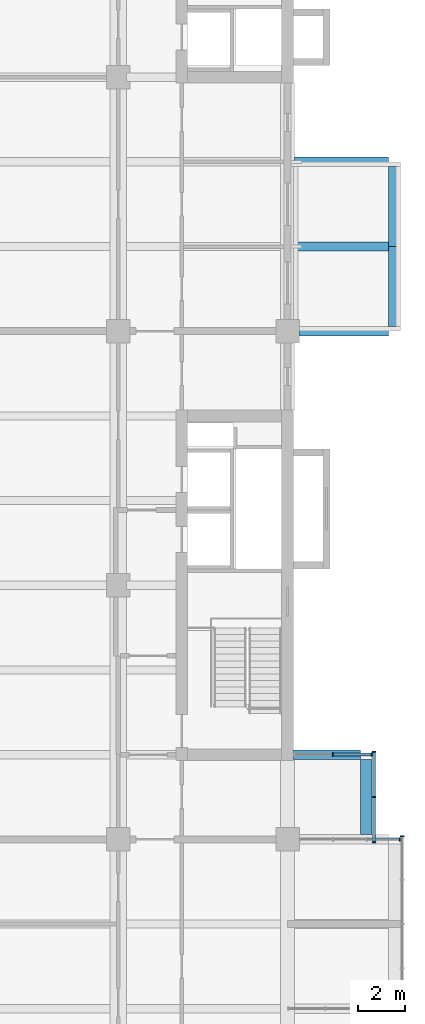
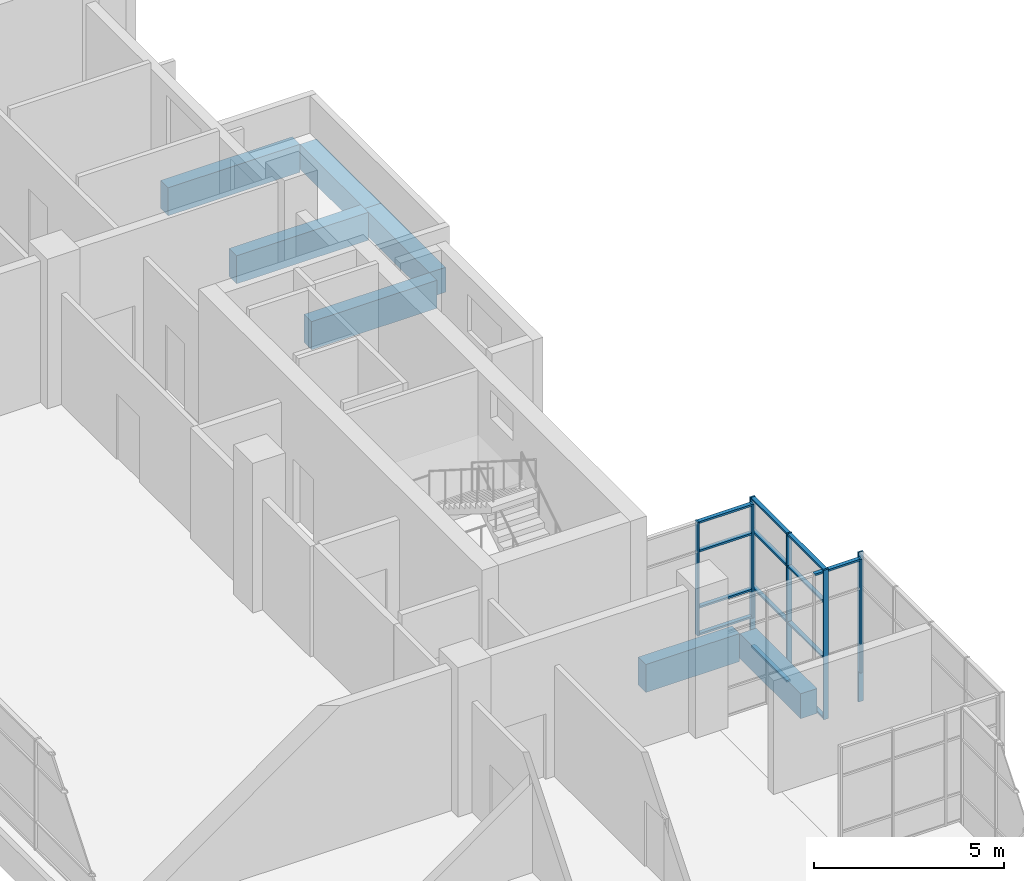
# One storey, part 14 of 30: 20 members, 7 beams, 4 elements without a shape of their own.
"""IFC4 building model written with IfcOpenShell, lengths in metres."""

from ifc_helpers import new_model, si_unit, direction, frame, origin, origin_2d, place, context, subcontext, project, spatial, rectangle, extrude, material, layer, layer_set, material_profile, profile_set, type_object, element, aggregate, save


model = new_model("IFC4")

# Units and contexts
model_context = context("Model", 3, precision=1e-05, world=origin(), true_north=direction((0.0, 1.0)))
body_context = subcontext(model_context, "Body", "Model", "MODEL_VIEW")
ifc_project = project(units=[si_unit("LENGTHUNIT", "METRE"), si_unit("AREAUNIT", "SQUARE_METRE"), si_unit("VOLUMEUNIT", "CUBIC_METRE"), si_unit("PLANEANGLEUNIT", "RADIAN"), si_unit("MASSUNIT", "GRAM", prefix="KILO")], contexts=[model_context])

# Site, building, storey
site_placement = place(None, origin())
site = spatial("IfcSite", under=ifc_project, at=site_placement, CompositionType="ELEMENT")
building_placement = place(site_placement, origin())
building = spatial("IfcBuilding", under=site, at=building_placement, Name="Basin Gate Institute", CompositionType="ELEMENT")
storey_placement = place(building_placement, frame((0.0, 0.0, 36.60009765625)))
storey = spatial("IfcBuildingStorey", under=building, at=storey_placement, Name="L07", CompositionType="ELEMENT", Elevation=36.60009765625)

# Beams
ifc_material_1 = material(Name="Concrete 50 MPa", Category="concrete")
ifc_material_profile_1 = material_profile(ifc_material_1, rectangle(XDim=0.39990234375, YDim=0.89990234375, at=origin_2d()), Name="Cantilever beam B3 400 x 900")
ifc_profile_set_1 = profile_set([ifc_material_profile_1], Name="Concrete 50 MPa")
beam_type_1 = type_object("IfcBeamType", Name="Cantilever beam B3 R120", PredefinedType="BEAM", material=ifc_profile_set_1)
beam_1_placement = place(storey_placement, frame((121.89990234375, 60.300048828125, -0.7001953125), z_axis=(-1.0, 0.0, 0.0), x_axis=(0.0, -1.0, 0.0)))
element("IfcBeam", 1, at=beam_1_placement, inside=storey, type_object=beam_type_1, material=ifc_profile_set_1, Name="BEAM/L07/E/CANT/08", PredefinedType="BEAM", context=body_context, shape_type="SweptSolid", body=[
    extrude(rectangle(XDim=0.39990234375, YDim=0.89990234375, at=origin_2d()), origin(), (0.0, 0.0, 1.0), 2.849853515625),
])
beam_2_placement = place(storey_placement, frame((123.10009765625, 78.300048828125, -0.7001953125), z_axis=(-1.0, 0.0, 0.0), x_axis=(0.0, -1.0, 0.0)))
element("IfcBeam", 2, at=beam_2_placement, inside=storey, type_object=beam_type_1, material=ifc_profile_set_1, Name="BEAM/L07/E/CANT/13", PredefinedType="BEAM", context=body_context, shape_type="SweptSolid", body=[
    extrude(rectangle(XDim=0.39990234375, YDim=0.89990234375, at=origin_2d()), origin(), (0.0, 0.0, 1.0), 3.800048828125),
])
for number, where, z_axis, x_axis, name in (
    (3, (123.10009765625, 81.89990234375, -0.7001953125), (-1.0, 0.0, 0.0), (0.0, -1.0, 0.0), "BEAM/L07/E/CANT/14"),
    (4, (123.10009765625, 85.5, -0.7001953125), (-1.0, 0.0, 0.0), (0.0, -1.0, 0.0), "BEAM/L07/E/CANT/15"),
):
    element("IfcBeam", number, at=place(storey_placement, frame(where, z_axis=z_axis, x_axis=x_axis)), inside=storey, type_object=beam_type_1, material=ifc_profile_set_1, Name=name, PredefinedType="BEAM", context=body_context, shape_type="SweptSolid", body=[
        extrude(rectangle(XDim=0.39990234375, YDim=0.89990234375, at=origin_2d()), origin(), (0.0, 0.0, 1.0), 4.0),
    ])

# Curtain wall, member
ifc_material_2 = material(Name="Aluminium-framed glazing", Category="aluminium")
ifc_layer = layer(ifc_material_2, 0.14990234375)
ifc_layer_set = layer_set([ifc_layer], Name="Capsule front curtain wall CW1")
curtain_wall_type = type_object("IfcCurtainWallType", Name="Capsule front curtain wall CW1", PredefinedType="NOTDEFINED", material=ifc_layer_set)
curtain_wall_1_placement = place(storey_placement, origin())
curtain_wall_1 = element("IfcCurtainWall", 5, at=curtain_wall_1_placement, inside=storey, type_object=curtain_wall_type, material=ifc_layer_set, Name="Capsule front curtain wall E wing capsule end L07 line 7", PredefinedType="NOTDEFINED")
ifc_material_3 = material(Name="Aluminium", Category="aluminium")
ifc_material_profile_2 = material_profile(ifc_material_3, rectangle(XDim=0.14990234375, YDim=0.050048828125, at=origin_2d()), Name="Mullion MU1 150 x 50")
ifc_profile_set_2 = profile_set([ifc_material_profile_2], Name="Aluminium")
member_type_1 = type_object("IfcMemberType", Name="Mullion MU1", PredefinedType="MULLION", material=ifc_profile_set_2)
member_1_placement = place(storey_placement, frame((123.574951171875, 56.699951171875, 0.0), z_axis=(0.0, 0.0, 1.0), x_axis=(0.0, -1.0, 0.0)))
member_1 = element("IfcMember", 6, at=member_1_placement, type_object=member_type_1, material=ifc_profile_set_2, Name="CW1 mullion 1", PredefinedType="MULLION", context=body_context, shape_type="SweptSolid", body=[
    extrude(rectangle(XDim=0.14990234375, YDim=0.050048828125, at=origin_2d()), origin(), (0.0, 0.0, 1.0), 3.64990234375),
])

# Curtain wall, members
curtain_wall_2_placement = place(storey_placement, origin())
curtain_wall_2 = element("IfcCurtainWall", 7, at=curtain_wall_2_placement, inside=storey, type_object=curtain_wall_type, material=ifc_layer_set, Name="Capsule front curtain wall E wing capsule end L07 line 8", PredefinedType="NOTDEFINED")
member_2_placement = place(storey_placement, frame((122.375, 60.300048828125, 0.0), z_axis=(0.0, 0.0, 1.0), x_axis=(0.0, -1.0, 0.0)))
member_2 = element("IfcMember", 8, at=member_2_placement, type_object=member_type_1, material=ifc_profile_set_2, Name="CW1 mullion 1", PredefinedType="MULLION", context=body_context, shape_type="SweptSolid", body=[
    extrude(rectangle(XDim=0.14990234375, YDim=0.050048828125, at=origin_2d()), origin(), (0.0, 0.0, 1.0), 3.64990234375),
])
member_3_placement = place(storey_placement, frame((120.72509765625, 60.300048828125, 0.0), z_axis=(0.0, 0.0, 1.0), x_axis=(0.0, -1.0, 0.0)))
member_3 = element("IfcMember", 9, at=member_3_placement, type_object=member_type_1, material=ifc_profile_set_2, Name="CW1 mullion 2", PredefinedType="MULLION", context=body_context, shape_type="SweptSolid", body=[
    extrude(rectangle(XDim=0.14990234375, YDim=0.050048828125, at=origin_2d()), origin(), (0.0, 0.0, 1.0), 3.64990234375),
])

# Curtain wall, member
curtain_wall_3_placement = place(storey_placement, origin())
curtain_wall_3 = element("IfcCurtainWall", 10, at=curtain_wall_3_placement, inside=storey, type_object=curtain_wall_type, material=ifc_layer_set, Name="Capsule front curtain wall E wing capsule 1 L07 front 2", PredefinedType="NOTDEFINED")
member_4_placement = place(storey_placement, frame((123.675048828125, 56.824951171875, -1.050048828125), z_axis=(0.0, 0.0, 1.0), x_axis=(-1.0, 0.0, 0.0)))
member_4 = element("IfcMember", 11, at=member_4_placement, type_object=member_type_1, material=ifc_profile_set_2, Name="CW1 mullion 5", PredefinedType="MULLION", context=body_context, shape_type="SweptSolid", body=[
    extrude(rectangle(XDim=0.14990234375, YDim=0.050048828125, at=origin_2d()), origin(), (0.0, 0.0, 1.0), 4.800048828125),
])
aggregate(curtain_wall_3, [member_4])

# Curtain wall, members
curtain_wall_4_placement = place(storey_placement, origin())
curtain_wall_4 = element("IfcCurtainWall", 12, at=curtain_wall_4_placement, inside=storey, type_object=curtain_wall_type, material=ifc_layer_set, Name="Capsule front curtain wall E wing capsule 1 L07 front 4", PredefinedType="NOTDEFINED")
member_5_placement = place(storey_placement, frame((122.47509765625, 56.574951171875, -1.050048828125), z_axis=(0.0, 0.0, 1.0), x_axis=(-1.0, 0.0, 0.0)))
member_5 = element("IfcMember", 13, at=member_5_placement, type_object=member_type_1, material=ifc_profile_set_2, Name="CW1 mullion 1", PredefinedType="MULLION", context=body_context, shape_type="SweptSolid", body=[
    extrude(rectangle(XDim=0.14990234375, YDim=0.050048828125, at=origin_2d()), origin(), (0.0, 0.0, 1.0), 4.800048828125),
])
member_6_placement = place(storey_placement, frame((122.47509765625, 58.5, -1.050048828125), z_axis=(0.0, 0.0, 1.0), x_axis=(-1.0, 0.0, 0.0)))
member_6 = element("IfcMember", 14, at=member_6_placement, type_object=member_type_1, material=ifc_profile_set_2, Name="CW1 mullion 2", PredefinedType="MULLION", context=body_context, shape_type="SweptSolid", body=[
    extrude(rectangle(XDim=0.14990234375, YDim=0.050048828125, at=origin_2d()), origin(), (0.0, 0.0, 1.0), 4.800048828125),
])
member_7_placement = place(storey_placement, frame((122.47509765625, 60.425048828125, -1.050048828125), z_axis=(0.0, 0.0, 1.0), x_axis=(-1.0, 0.0, 0.0)))
member_7 = element("IfcMember", 15, at=member_7_placement, type_object=member_type_1, material=ifc_profile_set_2, Name="CW1 mullion 3", PredefinedType="MULLION", context=body_context, shape_type="SweptSolid", body=[
    extrude(rectangle(XDim=0.14990234375, YDim=0.050048828125, at=origin_2d()), origin(), (0.0, 0.0, 1.0), 4.800048828125),
])

# Beams
ifc_material_4 = material(Name="Concrete 50 MPa", Category="concrete")
ifc_material_profile_3 = material_profile(ifc_material_4, rectangle(XDim=0.5, YDim=0.800048828125, at=origin_2d()), Name="Tip beam TB1 500 x 800")
ifc_profile_set_3 = profile_set([ifc_material_profile_3], Name="Concrete 50 MPa")
beam_type_2 = type_object("IfcBeamType", Name="Tip beam TB1 R120", PredefinedType="SPANDREL", material=ifc_profile_set_3)
beam_3_placement = place(storey_placement, frame((122.14990234375, 56.89990234375, -0.650146484375), z_axis=(0.0, 1.0, 0.0), x_axis=(-1.0, 0.0, 0.0)))
element("IfcBeam", 16, at=beam_3_placement, inside=storey, type_object=beam_type_2, material=ifc_profile_set_3, Name="BEAM/L07/E/TIP/4", PredefinedType="SPANDREL", context=body_context, shape_type="SweptSolid", body=[
    extrude(rectangle(XDim=0.5, YDim=0.800048828125, at=origin_2d()), origin(), (0.0, 0.0, 1.0), 3.2001953125),
])
beam_4_placement = place(storey_placement, frame((123.35009765625, 78.5, -0.650146484375), z_axis=(0.0, 1.0, 0.0), x_axis=(-1.0, 0.0, 0.0)))
element("IfcBeam", 17, at=beam_4_placement, inside=storey, type_object=beam_type_2, material=ifc_profile_set_3, Name="BEAM/L07/E/TIP/6", PredefinedType="SPANDREL", context=body_context, shape_type="SweptSolid", body=[
    extrude(rectangle(XDim=0.5, YDim=0.800048828125, at=origin_2d()), origin(), (0.0, 0.0, 1.0), 3.39990234375),
])
beam_5_placement = place(storey_placement, frame((123.35009765625, 81.89990234375, -0.650146484375), z_axis=(0.0, 1.0, 0.0), x_axis=(-1.0, 0.0, 0.0)))
element("IfcBeam", 18, at=beam_5_placement, inside=storey, type_object=beam_type_2, material=ifc_profile_set_3, Name="BEAM/L07/E/TIP/7", PredefinedType="SPANDREL", context=body_context, shape_type="SweptSolid", body=[
    extrude(rectangle(XDim=0.5, YDim=0.800048828125, at=origin_2d()), origin(), (0.0, 0.0, 1.0), 3.400146484375),
])

# Member
ifc_material_5 = material(Name="Aluminium", Category="aluminium")
ifc_material_profile_4 = material_profile(ifc_material_5, rectangle(XDim=0.1201171875, YDim=0.06005859375, at=origin_2d()), Name="Transom TR1 120 x 60")
ifc_profile_set_4 = profile_set([ifc_material_profile_4], Name="Aluminium")
member_type_2 = type_object("IfcMemberType", Name="Transom TR1", PredefinedType="USERDEFINED", material=ifc_profile_set_4)
member_8_placement = place(storey_placement, frame((123.550048828125, 56.699951171875, 3.619873046875), z_axis=(-1.0, 0.0, 0.0), x_axis=(0.0, -1.0, 0.0)))
member_8 = element("IfcMember", 19, at=member_8_placement, type_object=member_type_2, material=ifc_profile_set_4, Name="CW1 transom 1.4", ObjectType="TRANSOM", PredefinedType="USERDEFINED", context=body_context, shape_type="SweptSolid", body=[
    extrude(rectangle(XDim=0.1201171875, YDim=0.06005859375, at=origin_2d()), origin(), (0.0, 0.0, 1.0), 1.3583984375),
])

aggregate(curtain_wall_1, [member_1, member_8])

member_9_placement = place(storey_placement, frame((122.35009765625, 60.300048828125, 0.02978515625), z_axis=(-1.0, 0.0, 0.0), x_axis=(0.0, -1.0, 0.0)))
member_9 = element("IfcMember", 20, at=member_9_placement, type_object=member_type_2, material=ifc_profile_set_4, Name="CW1 transom 1.1", ObjectType="TRANSOM", PredefinedType="USERDEFINED", context=body_context, shape_type="SweptSolid", body=[
    extrude(rectangle(XDim=0.1201171875, YDim=0.06005859375, at=origin_2d()), origin(), (0.0, 0.0, 1.0), 1.60009765625),
])

member_10_placement = place(storey_placement, frame((122.35009765625, 60.300048828125, 0.89990234375), z_axis=(-1.0, 0.0, 0.0), x_axis=(0.0, -1.0, 0.0)))
member_10 = element("IfcMember", 21, at=member_10_placement, type_object=member_type_2, material=ifc_profile_set_4, Name="CW1 transom 1.2", ObjectType="TRANSOM", PredefinedType="USERDEFINED", context=body_context, shape_type="SweptSolid", body=[
    extrude(rectangle(XDim=0.1201171875, YDim=0.06005859375, at=origin_2d()), origin(), (0.0, 0.0, 1.0), 1.60009765625),
])

member_11_placement = place(storey_placement, frame((122.35009765625, 60.300048828125, 2.699951171875), z_axis=(-1.0, 0.0, 0.0), x_axis=(0.0, -1.0, 0.0)))
member_11 = element("IfcMember", 22, at=member_11_placement, type_object=member_type_2, material=ifc_profile_set_4, Name="CW1 transom 1.3", ObjectType="TRANSOM", PredefinedType="USERDEFINED", context=body_context, shape_type="SweptSolid", body=[
    extrude(rectangle(XDim=0.1201171875, YDim=0.06005859375, at=origin_2d()), origin(), (0.0, 0.0, 1.0), 1.60009765625),
])

member_12_placement = place(storey_placement, frame((122.35009765625, 60.300048828125, 3.619873046875), z_axis=(-1.0, 0.0, 0.0), x_axis=(0.0, -1.0, 0.0)))
member_12 = element("IfcMember", 23, at=member_12_placement, type_object=member_type_2, material=ifc_profile_set_4, Name="CW1 transom 1.4", ObjectType="TRANSOM", PredefinedType="USERDEFINED", context=body_context, shape_type="SweptSolid", body=[
    extrude(rectangle(XDim=0.1201171875, YDim=0.06005859375, at=origin_2d()), origin(), (0.0, 0.0, 1.0), 1.60009765625),
])

aggregate(curtain_wall_2, [member_2, member_3, member_9, member_10, member_11, member_12])

member_13_placement = place(storey_placement, frame((122.47509765625, 56.60009765625, -1.02001953125), z_axis=(0.0, 1.0, 0.0), x_axis=(-1.0, 0.0, 0.0)))
member_13 = element("IfcMember", 24, at=member_13_placement, type_object=member_type_2, material=ifc_profile_set_4, Name="CW1 transom 1.1", ObjectType="TRANSOM", PredefinedType="USERDEFINED", context=body_context, shape_type="SweptSolid", body=[
    extrude(rectangle(XDim=0.1201171875, YDim=0.06005859375, at=origin_2d()), origin(), (0.0, 0.0, 1.0), 1.875),
])

member_14_placement = place(storey_placement, frame((122.47509765625, 56.60009765625, 0.89990234375), z_axis=(0.0, 1.0, 0.0), x_axis=(-1.0, 0.0, 0.0)))
member_14 = element("IfcMember", 25, at=member_14_placement, type_object=member_type_2, material=ifc_profile_set_4, Name="CW1 transom 1.2", ObjectType="TRANSOM", PredefinedType="USERDEFINED", context=body_context, shape_type="SweptSolid", body=[
    extrude(rectangle(XDim=0.1201171875, YDim=0.06005859375, at=origin_2d()), origin(), (0.0, 0.0, 1.0), 1.875),
])

member_15_placement = place(storey_placement, frame((122.47509765625, 56.60009765625, 2.699951171875), z_axis=(0.0, 1.0, 0.0), x_axis=(-1.0, 0.0, 0.0)))
member_15 = element("IfcMember", 26, at=member_15_placement, type_object=member_type_2, material=ifc_profile_set_4, Name="CW1 transom 1.3", ObjectType="TRANSOM", PredefinedType="USERDEFINED", context=body_context, shape_type="SweptSolid", body=[
    extrude(rectangle(XDim=0.1201171875, YDim=0.06005859375, at=origin_2d()), origin(), (0.0, 0.0, 1.0), 1.875),
])

member_16_placement = place(storey_placement, frame((122.47509765625, 56.60009765625, 3.719970703125), z_axis=(0.0, 1.0, 0.0), x_axis=(-1.0, 0.0, 0.0)))
member_16 = element("IfcMember", 27, at=member_16_placement, type_object=member_type_2, material=ifc_profile_set_4, Name="CW1 transom 1.4", ObjectType="TRANSOM", PredefinedType="USERDEFINED", context=body_context, shape_type="SweptSolid", body=[
    extrude(rectangle(XDim=0.1201171875, YDim=0.06005859375, at=origin_2d()), origin(), (0.0, 0.0, 1.0), 1.875),
])

member_17_placement = place(storey_placement, frame((122.47509765625, 58.52490234375, -1.02001953125), z_axis=(0.0, 1.0, 0.0), x_axis=(-1.0, 0.0, 0.0)))
member_17 = element("IfcMember", 28, at=member_17_placement, type_object=member_type_2, material=ifc_profile_set_4, Name="CW1 transom 2.1", ObjectType="TRANSOM", PredefinedType="USERDEFINED", context=body_context, shape_type="SweptSolid", body=[
    extrude(rectangle(XDim=0.1201171875, YDim=0.06005859375, at=origin_2d()), origin(), (0.0, 0.0, 1.0), 1.875),
])

member_18_placement = place(storey_placement, frame((122.47509765625, 58.52490234375, 0.89990234375), z_axis=(0.0, 1.0, 0.0), x_axis=(-1.0, 0.0, 0.0)))
member_18 = element("IfcMember", 29, at=member_18_placement, type_object=member_type_2, material=ifc_profile_set_4, Name="CW1 transom 2.2", ObjectType="TRANSOM", PredefinedType="USERDEFINED", context=body_context, shape_type="SweptSolid", body=[
    extrude(rectangle(XDim=0.1201171875, YDim=0.06005859375, at=origin_2d()), origin(), (0.0, 0.0, 1.0), 1.875),
])

member_19_placement = place(storey_placement, frame((122.47509765625, 58.52490234375, 2.699951171875), z_axis=(0.0, 1.0, 0.0), x_axis=(-1.0, 0.0, 0.0)))
member_19 = element("IfcMember", 30, at=member_19_placement, type_object=member_type_2, material=ifc_profile_set_4, Name="CW1 transom 2.3", ObjectType="TRANSOM", PredefinedType="USERDEFINED", context=body_context, shape_type="SweptSolid", body=[
    extrude(rectangle(XDim=0.1201171875, YDim=0.06005859375, at=origin_2d()), origin(), (0.0, 0.0, 1.0), 1.875),
])

member_20_placement = place(storey_placement, frame((122.47509765625, 58.52490234375, 3.719970703125), z_axis=(0.0, 1.0, 0.0), x_axis=(-1.0, 0.0, 0.0)))
member_20 = element("IfcMember", 31, at=member_20_placement, type_object=member_type_2, material=ifc_profile_set_4, Name="CW1 transom 2.4", ObjectType="TRANSOM", PredefinedType="USERDEFINED", context=body_context, shape_type="SweptSolid", body=[
    extrude(rectangle(XDim=0.1201171875, YDim=0.06005859375, at=origin_2d()), origin(), (0.0, 0.0, 1.0), 1.875),
])

aggregate(curtain_wall_4, [member_5, member_6, member_7, member_13, member_14, member_15, member_16, member_17, member_18, member_19, member_20])

save(model, "model.ifc")
